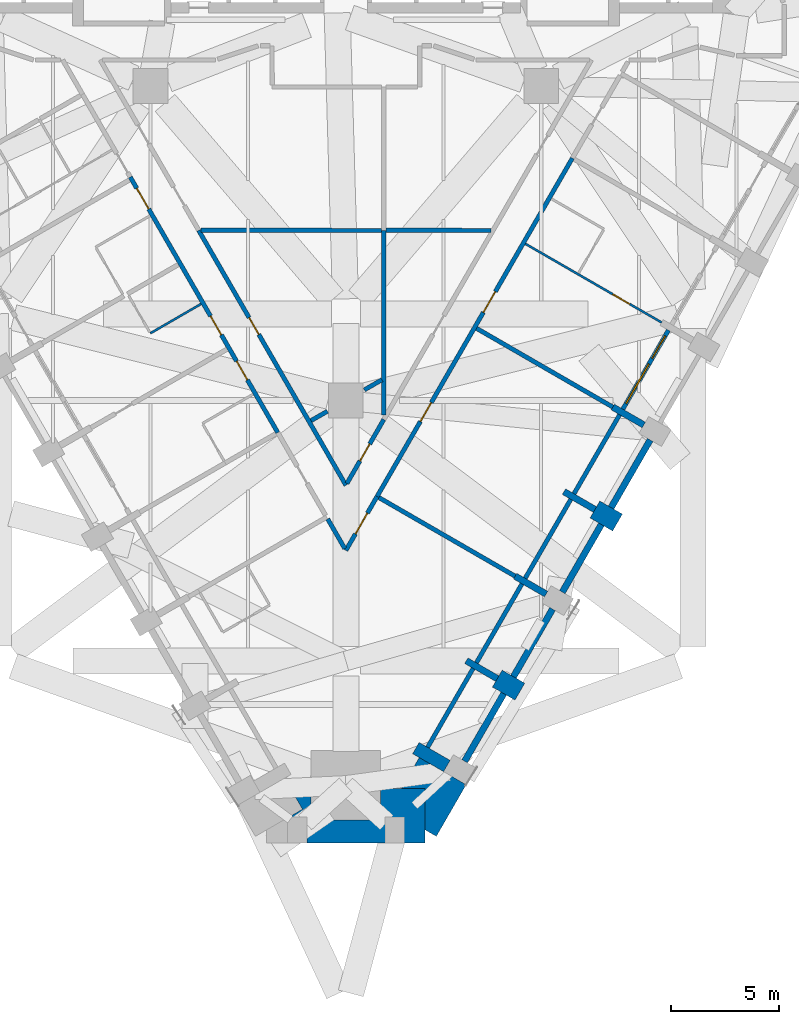
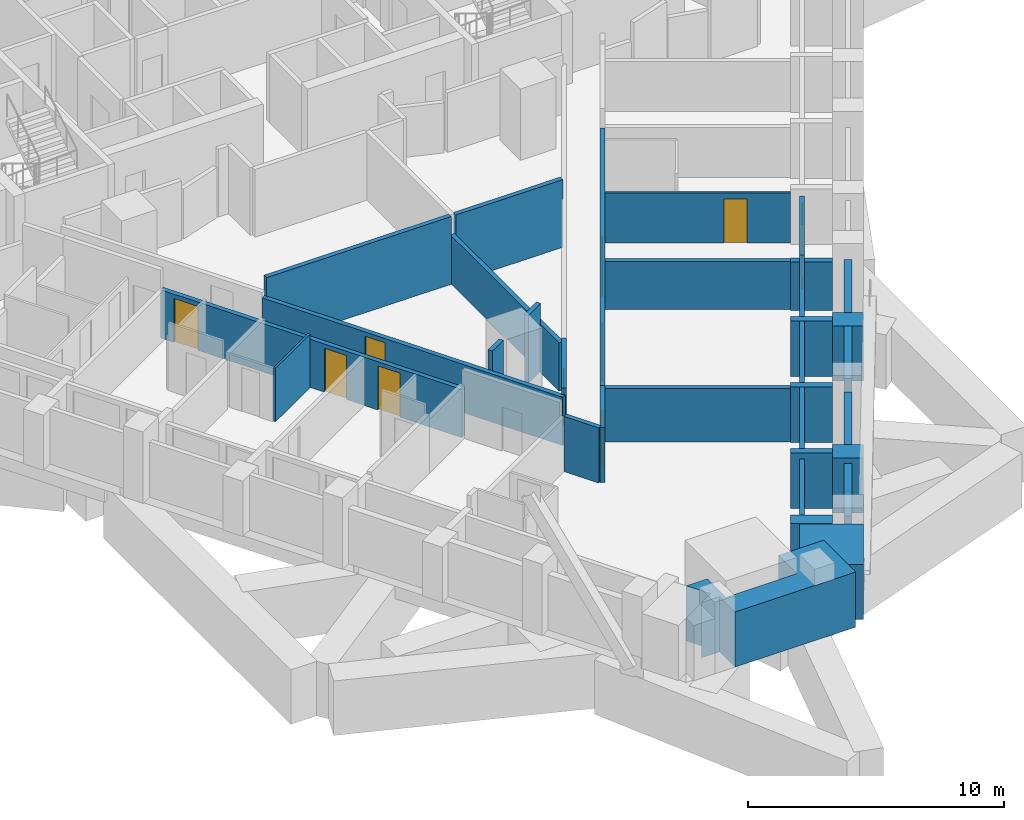
# One storey, part 5 of 12: 33 walls, 10 doors, 1 window, 11 openings.
"""IFC4 building model written with IfcOpenShell, lengths in metres."""

from ifc_helpers import new_model, si_unit, direction, frame, frame_2d, origin, place, context, subcontext, project, spatial, polyline, rectangle, outline, extrude, material, layer, layer_set, type_object, element, fill, save


model = new_model("IFC4")

# Units and contexts
model_context = context("Model", 3, precision=1e-05, world=origin(), true_north=direction((0.0, 1.0)))
body_context = subcontext(model_context, "Body", "Model", "MODEL_VIEW")
ifc_project = project(units=[si_unit("LENGTHUNIT", "METRE"), si_unit("AREAUNIT", "SQUARE_METRE"), si_unit("VOLUMEUNIT", "CUBIC_METRE"), si_unit("PLANEANGLEUNIT", "RADIAN"), si_unit("MASSUNIT", "GRAM", prefix="KILO")], contexts=[model_context])

# Site, building, storey
site_placement = place(None, origin())
site = spatial("IfcSite", under=ifc_project, at=site_placement, CompositionType="ELEMENT")
building_placement = place(site_placement, origin())
building = spatial("IfcBuilding", under=site, at=building_placement, Name="Calabash Gate Tower", CompositionType="ELEMENT")
storey_placement = place(building_placement, frame((0.0, 0.0, 46.0)))
storey = spatial("IfcBuildingStorey", under=building, at=storey_placement, Name="L06", CompositionType="ELEMENT", Elevation=46.0)

# Walls
ifc_material_1 = material(Name="Terracotta brick masonry, exposed face", Category="masonry")
ifc_layer_1 = layer(ifc_material_1, 2.5)
ifc_layer_set_1 = layer_set([ifc_layer_1], Name="Brick corner mass wall 2500")
wall_type_1 = type_object("IfcWallType", Name="Brick corner mass wall 2500", PredefinedType="SOLIDWALL", material=ifc_layer_set_1)
wall_1_placement = place(storey_placement, origin())
element("IfcWall", 1, at=wall_1_placement, inside=storey, type_object=wall_type_1, Name="Brick corner pier S01 2bb", PredefinedType="SOLIDWALL", context=body_context, shape_type="SweptSolid", body=[
    extrude(outline(polyline([(-1.800048828125, -31.18310546875), (-1.800048828125, -32.383056640625), (3.64990234375, -32.383056640625), (3.64990234375, -29.883056640625), (1.60009765625, -29.883056640625), (1.60009765625, -31.3330078125), (-1.60009765625, -31.3330078125), (-1.60009765625, -29.883056640625), (-2.552978515625, -29.883056640625), (-2.004638671875, -30.833251953125), (-2.610595703125, -31.18310546875), (-1.800048828125, -31.18310546875)])), origin(), (0.0, 0.0, 1.0), 2.6298828125),
])
wall_2_placement = place(storey_placement, origin())
element("IfcWall", 2, at=wall_2_placement, inside=storey, type_object=wall_type_1, Name="Brick corner pier S01 2c", PredefinedType="SOLIDWALL", context=body_context, shape_type="SweptSolid", body=[
    extrude(outline(polyline([(4.50537109375, -29.1015625), (3.379638671875, -28.45166015625), (2.552978515625, -29.883056640625), (3.64990234375, -29.883056640625), (3.64990234375, -31.783203125), (4.169677734375, -32.083251953125), (5.54443359375, -29.70166015625), (4.50537109375, -29.101806640625), (4.50537109375, -29.1015625)])), origin(), (0.0, 0.0, 1.0), 2.6298828125),
])
ifc_material_2 = material(Name="Terracotta brick masonry, exposed face", Category="masonry")
ifc_layer_2 = layer(ifc_material_2, 1.199951171875)
ifc_layer_set_2 = layer_set([ifc_layer_2], Name="Brick end wall 1200")
wall_type_2 = type_object("IfcWallType", Name="Brick end wall 1200", PredefinedType="SOLIDWALL", material=ifc_layer_set_2)
for number, where, z_axis, x_axis, name in (
    (3, (6.98046875, -24.814697265625, 0.0), (0.0, 0.0, 1.0), (0.865955154139, -0.50012165622, 0.0), "Brick pier S01 SE2.1"),
    (4, (12.51953125, -17.62060546875, 0.0), (0.0, 0.0, 1.0), (-0.865955154139, 0.50012165622, 0.0), "Brick pier S01 SE2.3"),
):
    element("IfcWall", number, at=place(storey_placement, frame(where, z_axis=z_axis, x_axis=x_axis)), inside=storey, type_object=wall_type_2, Name=name, PredefinedType="SOLIDWALL", context=body_context, shape_type="SweptSolid", body=[
        extrude(rectangle(XDim=1.199951171875, YDim=0.89990234375, at=frame_2d((0.60009765625, 0.0))), origin(), (0.0, 0.0, 1.0), 2.6298828125),
    ])
ifc_material_3 = material(Name="Terracotta brick masonry, exposed face", Category="masonry")
ifc_layer_3 = layer(ifc_material_3, 0.300048828125)
ifc_layer_set_3 = layer_set([ifc_layer_3], Name="Brick infill panel wall 300")
wall_type_3 = type_object("IfcWallType", Name="Brick infill panel wall 300", PredefinedType="SOLIDWALL", material=ifc_layer_set_3)
wall_3_placement = place(storey_placement, frame((5.47509765625, -28.6220703125, 0.0), z_axis=(0.0, 0.0, 1.0), x_axis=(0.499961193289, 0.866047807691, 0.0)))
element("IfcWall", 5, at=wall_3_placement, inside=storey, type_object=wall_type_3, Name="Brick panel S01 SE2.1", PredefinedType="SOLIDWALL", context=body_context, shape_type="SweptSolid", body=[
    extrude(rectangle(XDim=3.599853515625, YDim=0.300048828125, at=frame_2d((1.7998046875, 0.0))), origin(), (0.0, 0.0, 1.0), 2.3740234375),
])
for number, where, z_axis, x_axis, name in (
    (6, (7.72509765625, -24.72509765625, 0.0), (0.0, 0.0, 1.0), (0.499961193289, 0.866047807691, 0.0), "Brick panel S01 SE2.2"),
    (7, (9.97509765625, -20.827880859375, 0.0), (0.0, 0.0, 1.0), (0.499961193289, 0.866047807691, 0.0), "Brick panel S01 SE2.3"),
):
    element("IfcWall", number, at=place(storey_placement, frame(where, z_axis=z_axis, x_axis=x_axis)), inside=storey, type_object=wall_type_3, Name=name, PredefinedType="SOLIDWALL", context=body_context, shape_type="SweptSolid", body=[
        extrude(rectangle(XDim=3.599853515625, YDim=0.300048828125, at=frame_2d((1.7998046875, 0.0))), origin(), (0.0, 0.0, 1.0), 2.6298828125),
    ])
wall_4_placement = place(storey_placement, frame((12.22509765625, -16.930908203125, 0.0), z_axis=(0.0, 0.0, 1.0), x_axis=(0.499931829785, 0.866064758299, 0.0)))
element("IfcWall", 8, at=wall_4_placement, inside=storey, type_object=wall_type_3, Name="Brick panel S01 SE2.4", PredefinedType="SOLIDWALL", context=body_context, shape_type="SweptSolid", body=[
    extrude(rectangle(XDim=3.60009765625, YDim=0.300048828125, at=frame_2d((1.800048828125, 0.0))), origin(), (0.0, 0.0, 1.0), 2.6298828125),
])
ifc_material_4 = material(Name="Terracotta brick masonry, exposed face", Category="masonry")
ifc_layer_4 = layer(ifc_material_4, 0.300048828125)
ifc_layer_set_4 = layer_set([ifc_layer_4], Name="Brick loggia cheek wall 300")
wall_type_4 = type_object("IfcWallType", Name="Brick loggia cheek wall 300", PredefinedType="SOLIDWALL", material=ifc_layer_set_4)
wall_5_placement = place(storey_placement, frame((3.226318359375, -28.016845703125, 0.0), z_axis=(0.0, 0.0, 1.0), x_axis=(0.866040211805, -0.499974350878, 0.0)))
element("IfcWall", 9, at=wall_5_placement, inside=storey, type_object=wall_type_4, Name="Loggia cheek S01 SE2.0", PredefinedType="SOLIDWALL", context=body_context, shape_type="SweptSolid", body=[
    extrude(rectangle(XDim=1.64990234375, YDim=0.60009765625, at=frame_2d((0.824951171875, 0.0))), origin(), (0.0, 0.0, 1.0), 2.64990234375),
])
wall_6_placement = place(storey_placement, frame((6.98046875, -24.814697265625, 0.0), z_axis=(0.0, 0.0, 1.0), x_axis=(-0.866040211805, 0.499974350878, 0.0)))
element("IfcWall", 10, at=wall_6_placement, inside=storey, type_object=wall_type_4, Name="Loggia cheek S01 SE2.1", PredefinedType="SOLIDWALL", context=body_context, shape_type="SweptSolid", body=[
    extrude(rectangle(XDim=1.64990234375, YDim=0.300048828125, at=frame_2d((0.824951171875, 0.0))), origin(), (0.0, 0.0, 1.0), 2.64990234375),
])
wall_7_placement = place(storey_placement, frame((7.801513671875, -20.092529296875, 0.0), z_axis=(0.0, 0.0, 1.0), x_axis=(0.865976140824, -0.500085316245, 0.0)))
element("IfcWall", 11, at=wall_7_placement, inside=storey, type_object=wall_type_4, Name="Loggia cheek S01 SE2.2", PredefinedType="SOLIDWALL", context=body_context, shape_type="SweptSolid", body=[
    extrude(rectangle(XDim=1.650146484375, YDim=0.300048828125, at=frame_2d((0.8251953125, 0.0))), origin(), (0.0, 0.0, 1.0), 2.64990234375),
])
wall_8_placement = place(storey_placement, frame((11.48046875, -17.0205078125, 0.0), z_axis=(0.0, 0.0, 1.0), x_axis=(-0.866040211805, 0.499974350878, 0.0)))
element("IfcWall", 12, at=wall_8_placement, inside=storey, type_object=wall_type_4, Name="Loggia cheek S01 SE2.3", PredefinedType="SOLIDWALL", context=body_context, shape_type="SweptSolid", body=[
    extrude(rectangle(XDim=1.64990234375, YDim=0.300048828125, at=frame_2d((0.824951171875, 0.0))), origin(), (0.0, 0.0, 1.0), 2.64990234375),
])
wall_9_placement = place(storey_placement, frame((13.730224609375, -13.123291015625, 0.0), z_axis=(0.0, 0.0, 1.0), x_axis=(-0.866003217194, 0.500038426333, 0.0)))
element("IfcWall", 13, at=wall_9_placement, inside=storey, type_object=wall_type_4, Name="Loggia cheek S01 SE2.4", PredefinedType="SOLIDWALL", context=body_context, shape_type="SweptSolid", body=[
    extrude(rectangle(XDim=1.649658203125, YDim=0.300048828125, at=frame_2d((0.82470703125, 0.0))), origin(), (0.0, 0.0, 1.0), 2.302490234375),
])
ifc_material_5 = material(Name="Gypsum board on steel studs, mineral wool", Category="steel")
ifc_layer_5 = layer(ifc_material_5, 0.10009765625)
ifc_layer_set_5 = layer_set([ifc_layer_5], Name="Partition 100 gypsum board")
wall_type_5 = type_object("IfcWallType", Name="Partition 100 gypsum board", PredefinedType="PARTITIONING", material=ifc_layer_set_5)
wall_10_placement = place(storey_placement, frame((-9.010986328125, -8.897705078125, 0.0), z_axis=(0.0, 0.0, 1.0), x_axis=(0.865671764241, 0.500612022024, 0.0)))
element("IfcWall", 14, at=wall_10_placement, inside=storey, type_object=wall_type_5, Name="Partition", PredefinedType="PARTITIONING", context=body_context, shape_type="SweptSolid", body=[
    extrude(rectangle(XDim=2.69970703125, YDim=0.10009765625, at=frame_2d((1.349853515625, 0.0))), origin(), (0.0, 0.0, 1.0), 2.552001953125),
])

# Wall, opening, door
wall_11_placement = place(storey_placement, frame((8.27392578125, -4.774658203125, 0.0), z_axis=(0.0, 0.0, 1.0), x_axis=(0.866035857012, -0.499981894041, 0.0)))
wall_11 = element("IfcWall", 15, at=wall_11_placement, inside=storey, type_object=wall_type_5, Name="Partition", PredefinedType="PARTITIONING", context=body_context, shape_type="SweptSolid", body=[
    extrude(rectangle(XDim=7.249755859375, YDim=0.10009765625, at=frame_2d((3.625, 0.0))), origin(), (0.0, 0.0, 1.0), 2.384033203125),
])
opening_1_placement = place(wall_11_placement, frame((4.64990234375, 0.0, 0.0)))
opening_1 = element("IfcOpeningElement", 16, at=opening_1_placement, cuts=wall_11, Name="Opening 06-08-011", PredefinedType="OPENING", context=body_context, shape_type="SweptSolid", body=[
    extrude(rectangle(XDim=0.89990234375, YDim=2.10009765625, at=frame_2d((0.449951171875, 1.050048828125))), frame((0.0, 0.06005859375, 0.0), z_axis=(0.0, -1.0, 0.0), x_axis=(1.0, 0.0, 0.0)), (0.0, 0.0, 1.0), 0.1201171875),
])
ifc_material_6 = material(Name="Painted timber door", Category="wood")
door_type_1 = type_object("IfcDoorType", Name="GD7 Suite room door 900x2100", OperationType="NOTDEFINED", PredefinedType="DOOR", material=ifc_material_6)
door_1_placement = place(opening_1_placement, origin())
door_1 = element("IfcDoor", 17, at=door_1_placement, inside=storey, type_object=door_type_1, Name="Suite room door", OperationType="SINGLE_SWING_RIGHT", OverallHeight=2.10009765625, OverallWidth=0.89990234375, PredefinedType="DOOR", context=body_context, shape_type="SweptSolid", body=[
    extrude(rectangle(XDim=0.89990234375, YDim=2.10009765625, at=frame_2d((0.449951171875, 1.050048828125))), frame((0.0, 0.02490234375, 0.0), z_axis=(0.0, -1.0, 0.0), x_axis=(1.0, 0.0, 0.0)), (0.0, 0.0, 1.0), 0.050048828125),
])
fill(opening_1, door_1)

ifc_material_7 = material(Name="Gypsum board on steel studs, mineral wool", Category="steel")
ifc_layer_6 = layer(ifc_material_7, 0.199951171875)
ifc_layer_set_6 = layer_set([ifc_layer_6], Name="Partition 200 gypsum board EI 60")
wall_type_6 = type_object("IfcWallType", Name="Partition 200 gypsum board EI 60", PredefinedType="PARTITIONING", material=ifc_layer_set_6)
wall_12_placement = place(storey_placement, frame((0.000244140625, -18.905517578125, 0.0), z_axis=(0.0, 0.0, 1.0), x_axis=(0.50046312627, 0.865757852545, 0.0)))
wall_12 = element("IfcWall", 18, at=wall_12_placement, inside=storey, type_object=wall_type_6, Name="Partition", PredefinedType="PARTITIONING", context=body_context, shape_type="SweptSolid", body=[
    extrude(rectangle(XDim=2.871826171875, YDim=0.199951171875, at=frame_2d((1.43603515625, 0.0))), origin(), (0.0, 0.0, 1.0), 2.6279296875),
])
opening_2_placement = place(wall_12_placement, frame((0.88623046875, 0.0, 0.0)))
opening_2 = element("IfcOpeningElement", 19, at=opening_2_placement, cuts=wall_12, Name="Opening 06-08-029", PredefinedType="OPENING", context=body_context, shape_type="SweptSolid", body=[
    extrude(rectangle(XDim=1.10009765625, YDim=2.10009765625, at=frame_2d((0.550048828125, 1.050048828125))), frame((0.0, 0.10986328125, 0.0), z_axis=(0.0, -1.0, 0.0), x_axis=(1.0, 0.0, 0.0)), (0.0, 0.0, 1.0), 0.219970703125),
])
ifc_material_8 = material(Name="Steel fire door set with fire-resisting glazing", Category="steel")
door_type_2 = type_object("IfcDoorType", Name="GD3 Suite entrance door 1100x2100", OperationType="NOTDEFINED", PredefinedType="DOOR", material=ifc_material_8)
door_2_placement = place(opening_2_placement, origin())
door_2 = element("IfcDoor", 20, at=door_2_placement, inside=storey, type_object=door_type_2, Name="Suite entrance door", OperationType="SINGLE_SWING_LEFT", OverallHeight=2.10009765625, OverallWidth=1.10009765625, PredefinedType="DOOR", context=body_context, shape_type="SweptSolid", body=[
    extrude(rectangle(XDim=1.10009765625, YDim=2.10009765625, at=frame_2d((0.550048828125, 1.050048828125))), frame((0.0, 0.02490234375, 0.0), z_axis=(0.0, -1.0, 0.0), x_axis=(1.0, 0.0, 0.0)), (0.0, 0.0, 1.0), 0.050048828125),
])
fill(opening_2, door_2)

# Walls
wall_13_placement = place(storey_placement, frame((-0.836181640625, -17.45751953125, 0.0), z_axis=(0.0, 0.0, 1.0), x_axis=(0.50013013712, -0.865950256045, 0.0)))
element("IfcWall", 21, at=wall_13_placement, inside=storey, type_object=wall_type_6, Name="Partition", PredefinedType="PARTITIONING", context=body_context, shape_type="SweptSolid", body=[
    extrude(rectangle(XDim=1.572265625, YDim=0.199951171875, at=frame_2d((0.7861328125, 0.0))), origin(), (0.0, 0.0, 1.0), 2.6279296875),
])
wall_14_placement = place(storey_placement, frame((1.522216796875, -16.469482421875, 0.0), z_axis=(0.0, 0.0, 1.0), x_axis=(0.866125590059, -0.499826432119, 0.0)))
element("IfcWall", 22, at=wall_14_placement, inside=storey, type_object=wall_type_6, Name="Partition", PredefinedType="PARTITIONING", context=body_context, shape_type="SweptSolid", body=[
    extrude(rectangle(XDim=7.24951171875, YDim=0.199951171875, at=frame_2d((3.624755859375, 0.0))), origin(), (0.0, 0.0, 1.0), 2.552001953125),
])

# Wall, opening, door
wall_15_placement = place(storey_placement, frame((0.050048828125, -15.818115234375, 0.0), z_axis=(0.0, 0.0, 1.0), x_axis=(0.499521489101, 0.866301495974, 0.0)))
wall_15 = element("IfcWall", 23, at=wall_15_placement, inside=storey, type_object=wall_type_6, Name="Partition", PredefinedType="PARTITIONING", context=body_context, shape_type="SweptSolid", body=[
    extrude(rectangle(XDim=3.400634765625, YDim=0.199951171875, at=frame_2d((1.7001953125, 0.0))), origin(), (0.0, 0.0, 1.0), 2.6279296875),
])
opening_3_placement = place(wall_15_placement, frame((1.199951171875, 0.0, 0.0)))
opening_3 = element("IfcOpeningElement", 24, at=opening_3_placement, cuts=wall_15, Name="Opening 06-08-017", PredefinedType="OPENING", context=body_context, shape_type="SweptSolid", body=[
    extrude(rectangle(XDim=0.89990234375, YDim=2.10009765625, at=frame_2d((0.449951171875, 1.050048828125))), frame((0.0, 0.10986328125, 0.0), z_axis=(0.0, -1.0, 0.0), x_axis=(1.0, 0.0, 0.0)), (0.0, 0.0, 1.0), 0.219970703125),
])
ifc_material_9 = material(Name="Steel fire door set with fire-resisting glazing", Category="steel")
door_type_3 = type_object("IfcDoorType", Name="SD3 Store door 900x2100", OperationType="NOTDEFINED", PredefinedType="DOOR", material=ifc_material_9)
door_3_placement = place(opening_3_placement, origin())
door_3 = element("IfcDoor", 25, at=door_3_placement, inside=storey, type_object=door_type_3, Name="Store door", OperationType="SINGLE_SWING_LEFT", OverallHeight=2.10009765625, OverallWidth=0.89990234375, PredefinedType="DOOR", context=body_context, shape_type="SweptSolid", body=[
    extrude(rectangle(XDim=0.89990234375, YDim=2.10009765625, at=frame_2d((0.449951171875, 1.050048828125))), frame((0.0, 0.02490234375, 0.0), z_axis=(0.0, -1.0, 0.0), x_axis=(1.0, 0.0, 0.0)), (0.0, 0.0, 1.0), 0.050048828125),
])
fill(opening_3, door_3)

# Walls
wall_16_placement = place(storey_placement, frame((-1.603515625, -12.923583984375, 0.0), z_axis=(0.0, 0.0, 1.0), x_axis=(0.866960927484, 0.498376113207, 0.0)))
element("IfcWall", 26, at=wall_16_placement, inside=storey, type_object=wall_type_6, Name="Partition", PredefinedType="PARTITIONING", context=body_context, shape_type="SweptSolid", body=[
    extrude(rectangle(XDim=0.869140625, YDim=0.199951171875, at=frame_2d((0.4345703125, 0.0))), origin(), (0.0, 0.0, 1.0), 3.22998046875),
])
wall_17_placement = place(storey_placement, frame((1.748046875, -12.673583984375, 0.0), z_axis=(0.0, 0.0, 1.0), x_axis=(0.0, 1.0, 0.0)))
element("IfcWall", 27, at=wall_17_placement, inside=storey, type_object=wall_type_6, Name="Partition", PredefinedType="PARTITIONING", context=body_context, shape_type="SweptSolid", body=[
    extrude(rectangle(XDim=8.515869140625, YDim=0.199951171875, at=frame_2d((4.2578125, 0.0))), origin(), (0.0, 0.0, 1.0), 2.302490234375),
])
wall_18_placement = place(storey_placement, frame((0.85009765625, -11.509033203125, 0.0), z_axis=(0.0, 0.0, 1.0), x_axis=(0.865248014814, 0.501344066345, 0.0)))
element("IfcWall", 28, at=wall_18_placement, inside=storey, type_object=wall_type_6, Name="Partition", PredefinedType="PARTITIONING", context=body_context, shape_type="SweptSolid", body=[
    extrude(rectangle(XDim=0.93798828125, YDim=0.199951171875, at=frame_2d((0.468994140625, 0.0))), origin(), (0.0, 0.0, 1.0), 3.22998046875),
])
wall_19_placement = place(storey_placement, frame((6.02392578125, -8.671875, 0.0), z_axis=(0.0, 0.0, 1.0), x_axis=(0.865914666804, -0.500191753045, 0.0)))
element("IfcWall", 29, at=wall_19_placement, inside=storey, type_object=wall_type_6, Name="Partition", PredefinedType="PARTITIONING", context=body_context, shape_type="SweptSolid", body=[
    extrude(rectangle(XDim=7.249755859375, YDim=0.199951171875, at=frame_2d((3.625, 0.0))), origin(), (0.0, 0.0, 1.0), 2.302490234375),
])

# Wall, opening, door
wall_20_placement = place(storey_placement, frame((-6.783203125, -4.156005859375, 0.0), z_axis=(0.0, 0.0, 1.0), x_axis=(0.500162761554, -0.865931412962, 0.0)))
wall_20 = element("IfcWall", 30, at=wall_20_placement, inside=storey, type_object=wall_type_6, Name="Partition", PredefinedType="PARTITIONING", context=body_context, shape_type="SweptSolid", body=[
    extrude(rectangle(XDim=13.56640625, YDim=0.199951171875, at=frame_2d((6.783203125, 0.0))), origin(), (0.0, 0.0, 1.0), 2.302490234375),
])
opening_4_placement = place(wall_20_placement, frame((4.642333984375, 0.0, 0.0)))
opening_4 = element("IfcOpeningElement", 31, at=opening_4_placement, cuts=wall_20, Name="Opening 06-08-018", PredefinedType="OPENING", context=body_context, shape_type="SweptSolid", body=[
    extrude(rectangle(XDim=0.89990234375, YDim=2.10009765625, at=frame_2d((0.449951171875, 1.050048828125))), frame((0.0, 0.10986328125, 0.0), z_axis=(0.0, -1.0, 0.0), x_axis=(1.0, 0.0, 0.0)), (0.0, 0.0, 1.0), 0.219970703125),
])
door_4_placement = place(opening_4_placement, origin())
door_4 = element("IfcDoor", 32, at=door_4_placement, inside=storey, type_object=door_type_3, Name="Store door", OperationType="SINGLE_SWING_LEFT", OverallHeight=2.10009765625, OverallWidth=0.89990234375, PredefinedType="DOOR", context=body_context, shape_type="SweptSolid", body=[
    extrude(rectangle(XDim=0.89990234375, YDim=2.10009765625, at=frame_2d((0.449951171875, 1.050048828125))), frame((0.0, 0.02490234375, 0.0), z_axis=(0.0, -1.0, 0.0), x_axis=(1.0, 0.0, 0.0)), (0.0, 0.0, 1.0), 0.050048828125),
])
fill(opening_4, door_4)

# Walls
wall_21_placement = place(storey_placement, frame((-6.68310546875, -4.156005859375, 0.0), z_axis=(0.0, 0.0, 1.0), x_axis=(0.99999997896, -0.000205134212, 0.0)))
element("IfcWall", 33, at=wall_21_placement, inside=storey, type_object=wall_type_6, Name="Partition", PredefinedType="PARTITIONING", context=body_context, shape_type="SweptSolid", body=[
    extrude(rectangle(XDim=8.3310546875, YDim=0.199951171875, at=frame_2d((4.16552734375, 0.0))), origin(), (0.0, 0.0, 1.0), 3.22998046875),
])
wall_22_placement = place(storey_placement, frame((1.85009765625, -4.156005859375, 0.0), z_axis=(0.0, 0.0, 1.0), x_axis=(0.999999937456, -0.000353678232, 0.0)))
element("IfcWall", 34, at=wall_22_placement, inside=storey, type_object=wall_type_6, Name="Partition", PredefinedType="PARTITIONING", context=body_context, shape_type="SweptSolid", body=[
    extrude(rectangle(XDim=4.83203125, YDim=0.199951171875, at=frame_2d((2.416015625, 0.0))), origin(), (0.0, 0.0, 1.0), 3.22998046875),
])

# Wall, openings, doors
wall_23_placement = place(storey_placement, frame((-9.936767578125, -1.6982421875, 0.0), z_axis=(0.0, 0.0, 1.0), x_axis=(0.500001173101, -0.866024726493, 0.0)))
wall_23 = element("IfcWall", 35, at=wall_23_placement, inside=storey, type_object=wall_type_6, Name="Partition", PredefinedType="PARTITIONING", context=body_context, shape_type="SweptSolid", body=[
    extrude(rectangle(XDim=13.59765625, YDim=0.199951171875, at=frame_2d((6.798828125, 0.0))), origin(), (0.0, 0.0, 1.0), 2.302490234375),
])
opening_5_placement = place(wall_23_placement, frame((0.59765625, 0.0, 0.0)))
opening_5 = element("IfcOpeningElement", 36, at=opening_5_placement, cuts=wall_23, Name="Opening 06-08-001", PredefinedType="OPENING", context=body_context, shape_type="SweptSolid", body=[
    extrude(rectangle(XDim=1.10009765625, YDim=2.10009765625, at=frame_2d((0.550048828125, 1.050048828125))), frame((0.0, 0.10986328125, 0.0), z_axis=(0.0, -1.0, 0.0), x_axis=(1.0, 0.0, 0.0)), (0.0, 0.0, 1.0), 0.219970703125),
])
opening_6_placement = place(wall_23_placement, frame((7.397705078125, 0.0, 0.0)))
opening_6 = element("IfcOpeningElement", 37, at=opening_6_placement, cuts=wall_23, Name="Opening 06-08-003", PredefinedType="OPENING", context=body_context, shape_type="SweptSolid", body=[
    extrude(rectangle(XDim=1.0, YDim=2.10009765625, at=frame_2d((0.5, 1.050048828125))), frame((0.0, 0.10986328125, 0.0), z_axis=(0.0, -1.0, 0.0), x_axis=(1.0, 0.0, 0.0)), (0.0, 0.0, 1.0), 0.219970703125),
])
opening_7_placement = place(wall_23_placement, frame((9.797607421875, 0.0, 0.0)))
opening_7 = element("IfcOpeningElement", 38, at=opening_7_placement, cuts=wall_23, Name="Opening 06-08-005", PredefinedType="OPENING", context=body_context, shape_type="SweptSolid", body=[
    extrude(rectangle(XDim=1.0, YDim=2.10009765625, at=frame_2d((0.5, 1.050048828125))), frame((0.0, 0.10986328125, 0.0), z_axis=(0.0, -1.0, 0.0), x_axis=(1.0, 0.0, 0.0)), (0.0, 0.0, 1.0), 0.219970703125),
])
ifc_material_10 = material(Name="Steel fire door set with fire-resisting glazing", Category="steel")
door_type_4 = type_object("IfcDoorType", Name="GD1 Guest room entrance door 1000x2100", OperationType="NOTDEFINED", PredefinedType="DOOR", material=ifc_material_10)
door_5_placement = place(opening_6_placement, origin())
door_5 = element("IfcDoor", 39, at=door_5_placement, inside=storey, type_object=door_type_4, Name="Guest room entrance door", OperationType="SINGLE_SWING_LEFT", OverallHeight=2.10009765625, OverallWidth=1.0, PredefinedType="DOOR", context=body_context, shape_type="SweptSolid", body=[
    extrude(rectangle(XDim=1.0, YDim=2.10009765625, at=frame_2d((0.5, 1.050048828125))), frame((0.0, 0.02490234375, 0.0), z_axis=(0.0, -1.0, 0.0), x_axis=(1.0, 0.0, 0.0)), (0.0, 0.0, 1.0), 0.050048828125),
])
fill(opening_6, door_5)
door_6_placement = place(opening_7_placement, origin())
door_6 = element("IfcDoor", 40, at=door_6_placement, inside=storey, type_object=door_type_4, Name="Guest room entrance door", OperationType="SINGLE_SWING_RIGHT", OverallHeight=2.10009765625, OverallWidth=1.0, PredefinedType="DOOR", context=body_context, shape_type="SweptSolid", body=[
    extrude(rectangle(XDim=1.0, YDim=2.10009765625, at=frame_2d((0.5, 1.050048828125))), frame((0.0, 0.02490234375, 0.0), z_axis=(0.0, -1.0, 0.0), x_axis=(1.0, 0.0, 0.0)), (0.0, 0.0, 1.0), 0.050048828125),
])
fill(opening_7, door_6)
ifc_material_11 = material(Name="Steel fire door set with fire-resisting glazing", Category="steel")
door_type_5 = type_object("IfcDoorType", Name="GD2 Accessible guest room entrance door 1100x2100", OperationType="NOTDEFINED", PredefinedType="DOOR", material=ifc_material_11)
door_7_placement = place(opening_5_placement, origin())
door_7 = element("IfcDoor", 41, at=door_7_placement, inside=storey, type_object=door_type_5, Name="Accessible guest room entrance door", OperationType="SINGLE_SWING_RIGHT", OverallHeight=2.10009765625, OverallWidth=1.10009765625, PredefinedType="DOOR", context=body_context, shape_type="SweptSolid", body=[
    extrude(rectangle(XDim=1.10009765625, YDim=2.10009765625, at=frame_2d((0.550048828125, 1.050048828125))), frame((0.0, 0.02490234375, 0.0), z_axis=(0.0, -1.0, 0.0), x_axis=(1.0, 0.0, 0.0)), (0.0, 0.0, 1.0), 0.050048828125),
])
fill(opening_5, door_7)

wall_24_placement = place(storey_placement, frame((1.43798828125, -16.418701171875, 0.0), z_axis=(0.0, 0.0, 1.0), x_axis=(0.499996012009, 0.86602770624, 0.0)))
wall_24 = element("IfcWall", 42, at=wall_24_placement, inside=storey, type_object=wall_type_6, Name="Partition", PredefinedType="PARTITIONING", context=body_context, shape_type="SweptSolid", body=[
    extrude(rectangle(XDim=18.000244140625, YDim=0.199951171875, at=frame_2d((9.0, 0.0))), origin(), (0.0, 0.0, 1.0), 2.302490234375),
])
opening_8_placement = place(wall_24_placement, frame((4.0, 0.0, 0.0)))
opening_8 = element("IfcOpeningElement", 43, at=opening_8_placement, cuts=wall_24, Name="Opening 06-08-009", PredefinedType="OPENING", context=body_context, shape_type="SweptSolid", body=[
    extrude(rectangle(XDim=1.0, YDim=2.10009765625, at=frame_2d((0.5, 1.050048828125))), frame((0.0, 0.10986328125, 0.0), z_axis=(0.0, -1.0, 0.0), x_axis=(1.0, 0.0, 0.0)), (0.0, 0.0, 1.0), 0.219970703125),
])
opening_9_placement = place(wall_24_placement, frame((9.800048828125, 0.0, 0.0)))
opening_9 = element("IfcOpeningElement", 44, at=opening_9_placement, cuts=wall_24, Name="Opening 06-08-010", PredefinedType="OPENING", context=body_context, shape_type="SweptSolid", body=[
    extrude(rectangle(XDim=1.10009765625, YDim=2.10009765625, at=frame_2d((0.550048828125, 1.050048828125))), frame((0.0, 0.10986328125, 0.0), z_axis=(0.0, -1.0, 0.0), x_axis=(1.0, 0.0, 0.0)), (0.0, 0.0, 1.0), 0.219970703125),
])
door_8_placement = place(opening_9_placement, origin())
door_8 = element("IfcDoor", 45, at=door_8_placement, inside=storey, type_object=door_type_2, Name="Suite entrance door", OperationType="SINGLE_SWING_RIGHT", OverallHeight=2.10009765625, OverallWidth=1.10009765625, PredefinedType="DOOR", context=body_context, shape_type="SweptSolid", body=[
    extrude(rectangle(XDim=1.10009765625, YDim=2.10009765625, at=frame_2d((0.550048828125, 1.050048828125))), frame((0.0, 0.02490234375, 0.0), z_axis=(0.0, -1.0, 0.0), x_axis=(1.0, 0.0, 0.0)), (0.0, 0.0, 1.0), 0.050048828125),
])
fill(opening_9, door_8)
ifc_material_12 = material(Name="Steel fire door set with fire-resisting glazing", Category="steel")
door_type_6 = type_object("IfcDoorType", Name="LD2 Meeting room door 1000x2100", OperationType="NOTDEFINED", PredefinedType="DOOR", material=ifc_material_12)
door_9_placement = place(opening_8_placement, origin())
door_9 = element("IfcDoor", 46, at=door_9_placement, inside=storey, type_object=door_type_6, Name="Meeting room door", OperationType="SINGLE_SWING_RIGHT", OverallHeight=2.10009765625, OverallWidth=1.0, PredefinedType="DOOR", context=body_context, shape_type="SweptSolid", body=[
    extrude(rectangle(XDim=1.0, YDim=2.10009765625, at=frame_2d((0.5, 1.050048828125))), frame((0.0, 0.02490234375, 0.0), z_axis=(0.0, -1.0, 0.0), x_axis=(1.0, 0.0, 0.0)), (0.0, 0.0, 1.0), 0.050048828125),
])
fill(opening_8, door_9)

# Walls
ifc_material_13 = material(Name="Aluminium framed window wall with insulated spandrel", Category="aluminium")
ifc_layer_7 = layer(ifc_material_13, 0.199951171875)
ifc_layer_set_7 = layer_set([ifc_layer_7], Name="Window wall 200")
wall_type_7 = type_object("IfcWallType", Name="Window wall 200", PredefinedType="ELEMENTEDWALL", material=ifc_layer_set_7)
wall_25_placement = place(storey_placement, frame((3.76611328125, -27.98193359375, 0.0), z_axis=(0.0, 0.0, 1.0), x_axis=(0.500027713859, 0.866009402589, 0.0)))
element("IfcWall", 47, at=wall_25_placement, inside=storey, type_object=wall_type_7, Name="Window wall S01 SE2.1", PredefinedType="ELEMENTEDWALL", context=body_context, shape_type="SweptSolid", body=[
    extrude(rectangle(XDim=4.199951171875, YDim=0.199951171875, at=frame_2d((2.10009765625, 0.0))), origin(), (0.0, 0.0, 1.0), 2.3740234375),
])
wall_26_placement = place(storey_placement, frame((6.01611328125, -24.084716796875, 0.0), z_axis=(0.0, 0.0, 1.0), x_axis=(0.500027713859, 0.866009402589, 0.0)))
element("IfcWall", 48, at=wall_26_placement, inside=storey, type_object=wall_type_7, Name="Window wall S01 SE2.2", PredefinedType="ELEMENTEDWALL", context=body_context, shape_type="SweptSolid", body=[
    extrude(rectangle(XDim=4.199951171875, YDim=0.199951171875, at=frame_2d((2.10009765625, 0.0))), origin(), (0.0, 0.0, 1.0), 2.64990234375),
])
wall_27_placement = place(storey_placement, frame((8.26611328125, -20.187744140625, 0.0), z_axis=(0.0, 0.0, 1.0), x_axis=(0.500002543286, 0.866023935413, 0.0)))
element("IfcWall", 49, at=wall_27_placement, inside=storey, type_object=wall_type_7, Name="Window wall S01 SE2.3", PredefinedType="ELEMENTEDWALL", context=body_context, shape_type="SweptSolid", body=[
    extrude(rectangle(XDim=4.2001953125, YDim=0.199951171875, at=frame_2d((2.10009765625, 0.0))), origin(), (0.0, 0.0, 1.0), 2.64990234375),
])
wall_28_placement = place(storey_placement, frame((10.51611328125, -16.29052734375, 0.0), z_axis=(0.0, 0.0, 1.0), x_axis=(0.500027713859, 0.866009402589, 0.0)))
element("IfcWall", 50, at=wall_28_placement, inside=storey, type_object=wall_type_7, Name="Window wall S01 SE2.4", PredefinedType="ELEMENTEDWALL", context=body_context, shape_type="SweptSolid", body=[
    extrude(rectangle(XDim=4.199951171875, YDim=0.199951171875, at=frame_2d((2.10009765625, 0.0))), origin(), (0.0, 0.0, 1.0), 2.64990234375),
])

# Wall, openings, door, window
wall_29_placement = place(storey_placement, frame((12.76611328125, -12.3935546875, 0.0), z_axis=(0.0, 0.0, 1.0), x_axis=(0.500002543286, 0.866023935413, 0.0)))
wall_29 = element("IfcWall", 51, at=wall_29_placement, inside=storey, type_object=wall_type_7, Name="Window wall S01 SE2.5", PredefinedType="ELEMENTEDWALL", context=body_context, shape_type="SweptSolid", body=[
    extrude(rectangle(XDim=4.2001953125, YDim=0.199951171875, at=frame_2d((2.10009765625, 0.0))), origin(), (0.0, 0.0, 1.0), 2.302490234375),
])
opening_10_placement = place(wall_29_placement, frame((0.300048828125, 0.0, 0.60009765625)))
opening_10 = element("IfcOpeningElement", 52, at=opening_10_placement, cuts=wall_29, Name="Opening HW1L-1600", PredefinedType="OPENING", context=body_context, shape_type="SweptSolid", body=[
    extrude(rectangle(XDim=2.10009765625, YDim=1.60009765625, at=frame_2d((1.050048828125, 0.800048828125))), frame((0.0, 0.10986328125, 0.0), z_axis=(0.0, -1.0, 0.0), x_axis=(1.0, 0.0, 0.0)), (0.0, 0.0, 1.0), 0.219970703125),
])
opening_11_placement = place(wall_29_placement, frame((2.699951171875, 0.0, 0.0)))
opening_11 = element("IfcOpeningElement", 53, at=opening_11_placement, cuts=wall_29, Name="Opening H1-019", PredefinedType="OPENING", context=body_context, shape_type="SweptSolid", body=[
    extrude(rectangle(XDim=1.199951171875, YDim=2.199951171875, at=frame_2d((0.60009765625, 1.10009765625))), frame((0.0, 0.10986328125, 0.0), z_axis=(0.0, -1.0, 0.0), x_axis=(1.0, 0.0, 0.0)), (0.0, 0.0, 1.0), 0.219970703125),
])
ifc_material_14 = material(Name="Anodised aluminium frame, bronze finish, impact-rated laminated clear glazing", Category="aluminium")
door_type_7 = type_object("IfcDoorType", Name="Loggia door DH1L-2200 1200x2200", OperationType="SLIDING_TO_LEFT", PredefinedType="DOOR", material=ifc_material_14)
door_10_placement = place(opening_11_placement, origin())
door_10 = element("IfcDoor", 54, at=door_10_placement, inside=storey, type_object=door_type_7, Name="Loggia door S01 SE2.5", OperationType="SINGLE_SWING_LEFT", OverallHeight=2.199951171875, OverallWidth=1.199951171875, PredefinedType="DOOR", context=body_context, shape_type="SweptSolid", body=[
    extrude(rectangle(XDim=1.199951171875, YDim=2.199951171875, at=frame_2d((0.60009765625, 1.10009765625))), frame((0.0, 0.02490234375, 0.0), z_axis=(0.0, -1.0, 0.0), x_axis=(1.0, 0.0, 0.0)), (0.0, 0.0, 1.0), 0.050048828125),
])
fill(opening_11, door_10)
ifc_material_15 = material(Name="Anodised aluminium frame, bronze finish, impact-rated laminated clear glazing", Category="aluminium")
window_type = type_object("IfcWindowType", Name="Window HW1L 2100x1600", PartitioningType="DOUBLE_PANEL_VERTICAL", PredefinedType="WINDOW", material=ifc_material_15)
window_placement = place(opening_10_placement, origin())
window = element("IfcWindow", 55, at=window_placement, inside=storey, type_object=window_type, Name="Window HW1 S01 SE2.5", OverallHeight=1.60009765625, OverallWidth=2.10009765625, PartitioningType="SINGLE_PANEL", PredefinedType="WINDOW", context=body_context, shape_type="SweptSolid", body=[
    extrude(rectangle(XDim=2.10009765625, YDim=1.60009765625, at=frame_2d((1.050048828125, 0.800048828125))), frame((0.0, 0.030029296875, 0.0), z_axis=(0.0, -1.0, 0.0), x_axis=(1.0, 0.0, 0.0)), (0.0, 0.0, 1.0), 0.06005859375),
])
fill(opening_10, window)

save(model, "model.ifc")
